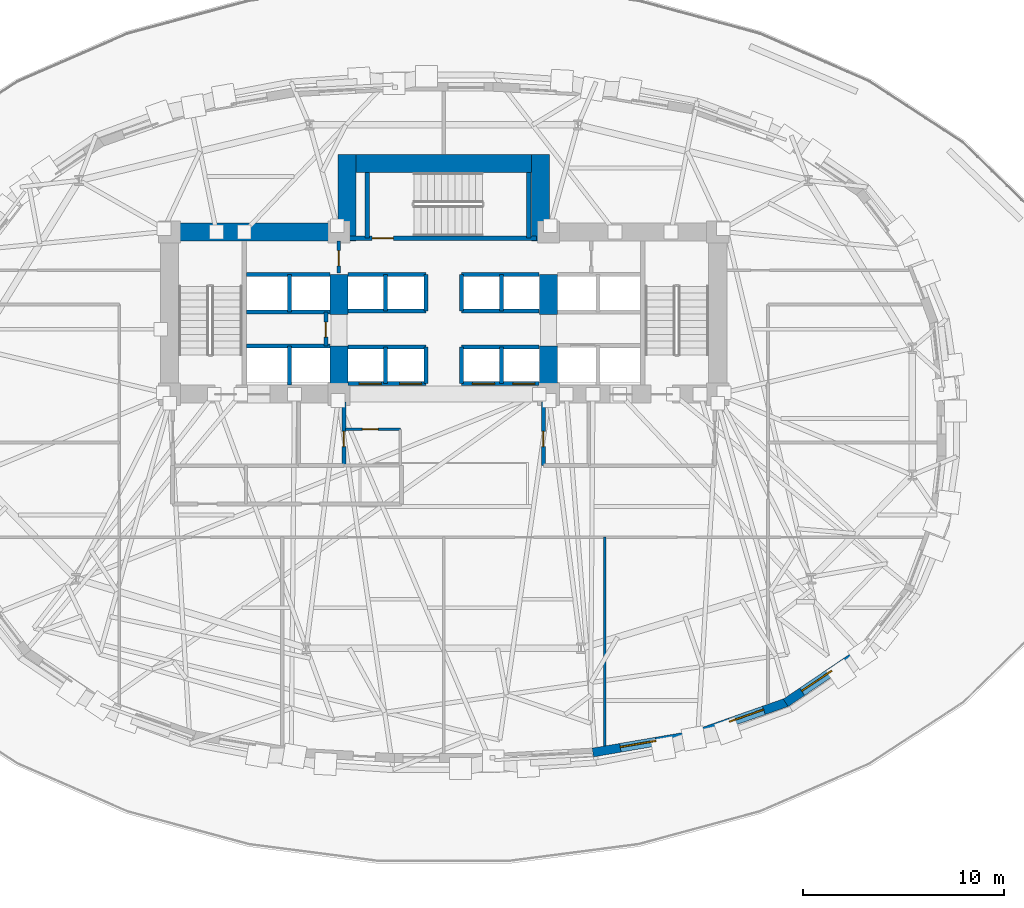
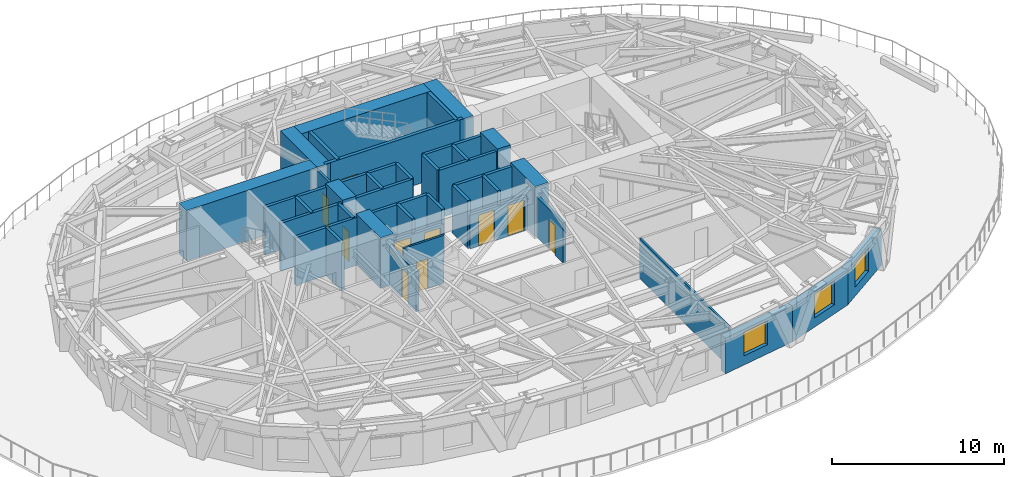
# One storey, part 7 of 14: 41 walls, 10 doors, 3 windows, 13 openings.
"""IFC4 building model written with IfcOpenShell, lengths in metres."""

import ifcopenshell
import ifcopenshell.guid

model = None  # the IFC model being written
_history = None  # IfcOwnerHistory: only IFC2X3 demands one
_inside = {}  # id of a spatial element -> (the spatial element, [elements in it])
_under = {}  # id of a project, library or spatial element -> (it, [spatial elements below it])
_declared = {}  # id of a project -> (the project, [libraries it declares])
_typed = {}  # id of a type object -> (the type object, [elements of that type])
_made_of = {}  # id of a material, layer set ... -> (it, [elements and type objects made of it])


def new_model(schema):
    """Start an empty IFC model of exactly this schema.

    Asked for "IFC4X3", IfcOpenShell would pick the latest addendum, in which some entities
    have other attributes; the version numbers below select the first issue.
    IFC2X3 requires an IfcOwnerHistory on every rooted entity: one is made here for all.
    """
    global model, _history
    if schema == "IFC4X3":
        model = ifcopenshell.file(schema_version=(4, 3, 0, 0))
    else:
        model = ifcopenshell.file(schema=schema)
    _inside.clear()
    _under.clear()
    _declared.clear()
    _typed.clear()
    _made_of.clear()
    _history = None
    if model.schema == "IFC2X3":
        org = make("IfcOrganization", Name="unknown")
        user = make(
            "IfcPersonAndOrganization",
            ThePerson=make("IfcPerson", FamilyName="unknown"),
            TheOrganization=org,
        )
        app = make(
            "IfcApplication",
            ApplicationDeveloper=org,
            Version="unknown",
            ApplicationFullName="unknown",
            ApplicationIdentifier="unknown",
        )
        _history = make(
            "IfcOwnerHistory",
            OwningUser=user,
            OwningApplication=app,
            ChangeAction="ADDED",
            CreationDate=0,
        )
    return model


def make(cls, **values):
    """One entity of the class cls with the attributes given. An attribute that is None is left unset."""
    return model.create_entity(
        cls, **{name: value for name, value in values.items() if value is not None}
    )


def rooted(cls, **values):
    """An entity with a GlobalId (a new one), such as an element, a storey or a relation."""
    return make(cls, GlobalId=ifcopenshell.guid.new(), OwnerHistory=_history, **values)


def si_unit(unit_type, name, prefix=None):
    """IfcSIUnit, for example si_unit("LENGTHUNIT", "METRE", prefix="MILLI")."""
    return make("IfcSIUnit", UnitType=unit_type, Prefix=prefix, Name=name)


def assignment(units):
    """IfcUnitAssignment: the units of a project."""
    return None if units is None else make("IfcUnitAssignment", Units=units)


def point(xyz):
    """IfcCartesianPoint."""
    return None if xyz is None else make("IfcCartesianPoint", Coordinates=xyz)


def direction(xyz):
    """IfcDirection."""
    return None if xyz is None else make("IfcDirection", DirectionRatios=xyz)


def frame(location, z_axis=None, x_axis=None):
    """IfcAxis2Placement3D, a coordinate frame: its origin and axes. An axis left out is left unset."""
    return make(
        "IfcAxis2Placement3D",
        Location=point(location),
        Axis=direction(z_axis),
        RefDirection=direction(x_axis),
    )


def frame_2d(location, x_axis=None):
    """IfcAxis2Placement2D, a coordinate frame in the plane: its origin and x axis."""
    return make(
        "IfcAxis2Placement2D", Location=point(location), RefDirection=direction(x_axis)
    )


def origin():
    """The frame at (0, 0, 0) with its axes left unset."""
    return frame((0.0, 0.0, 0.0))


def place(relative_to, where):
    """IfcLocalPlacement: puts the frame where relative to a parent placement (None: the world)."""
    return make(
        "IfcLocalPlacement", PlacementRelTo=relative_to, RelativePlacement=where
    )


def context(
    kind, dimensions, precision=None, world=None, true_north=None, identifier=None
):
    """IfcGeometricRepresentationContext, for example the 3D "Model" context."""
    return make(
        "IfcGeometricRepresentationContext",
        ContextIdentifier=identifier,
        ContextType=kind,
        CoordinateSpaceDimension=dimensions,
        Precision=precision,
        WorldCoordinateSystem=world,
        TrueNorth=true_north,
    )


def subcontext(parent, identifier, kind, view, scale=None):
    """IfcGeometricRepresentationSubContext, for example "Body" below "Model"."""
    return make(
        "IfcGeometricRepresentationSubContext",
        ContextIdentifier=identifier,
        ContextType=kind,
        ParentContext=parent,
        TargetScale=scale,
        TargetView=view,
    )


def project(units=None, contexts=None):
    """IfcProject with its units and contexts."""
    return rooted(
        "IfcProject",
        Name="project",
        RepresentationContexts=contexts,
        UnitsInContext=assignment(units),
    )


def spatial(cls, under=None, at=None, **own):
    """A site, building, storey or space (cls), placed at a placement, below another one or the project."""
    s = rooted(cls, ObjectPlacement=at, **own)
    if under is not None:
        _under.setdefault(under.id(), (under, []))[1].append(s)
    return s


def profile(cls, at=None, kind="AREA", **sizes):
    """A parametric profile (cls). Its sizes go by their IFC names, for example OverallWidth=200.0."""
    return make(cls, ProfileType=kind, Position=at, **sizes)


def rectangle(**sizes):
    """IfcRectangleProfileDef."""
    return profile("IfcRectangleProfileDef", **sizes)


def extrude(swept, where, along, depth):
    """IfcExtrudedAreaSolid: the profile swept, set in the frame where, extruded along a direction by depth."""
    return make(
        "IfcExtrudedAreaSolid",
        SweptArea=swept,
        Position=where,
        ExtrudedDirection=direction(along),
        Depth=depth,
    )


def shape(context_of_items, identifier, shape_type, items):
    """IfcShapeRepresentation: the items that make up one representation, for example the "Body"."""
    return make(
        "IfcShapeRepresentation",
        ContextOfItems=context_of_items,
        RepresentationIdentifier=identifier,
        RepresentationType=shape_type,
        Items=items,
    )


def material(Name=None, Category=None):
    """IfcMaterial."""
    return make("IfcMaterial", Name=Name, Category=Category)


def layer(
    of_material, thickness, ventilated=None, Name=None, Category=None, Priority=None
):
    """IfcMaterialLayer: one layer of a wall or slab, of a material (None: an air gap)."""
    return make(
        "IfcMaterialLayer",
        Material=of_material,
        LayerThickness=thickness,
        IsVentilated=ventilated,
        Name=Name,
        Category=Category,
        Priority=Priority,
    )


def layer_set(layers, Name=None):
    """IfcMaterialLayerSet."""
    return make("IfcMaterialLayerSet", MaterialLayers=layers, LayerSetName=Name)


def made_of(thing, what):
    """Note that an element or type object is made of a material, layer set ...; save() writes the relation."""
    if what is not None:
        _made_of.setdefault(what.id(), (what, []))[1].append(thing)
    return thing


def type_object(cls, material=None, **own):
    """A type object (cls), such as IfcWallType, which elements share."""
    return made_of(rooted(cls, **own), material)


def element(
    cls,
    number,
    at=None,
    inside=None,
    cuts=None,
    type_object=None,
    material=None,
    context=None,
    identifier="Body",
    shape_type=None,
    held_by="IfcProductDefinitionShape",
    body=None,
    shapes=None,
    **own,
):
    """One element of the class cls, such as IfcWall. Its Tag is "e" and its number.

    at: its placement. inside: the storey or other place that contains it. cuts: it is an
    opening in that element (IfcRelVoidsElement). A single representation is given by context,
    identifier, shape_type and body (its items); several are given by shapes. held_by: the class
    of the entity that holds the representations. save() writes the other relations.
    """
    e = rooted(cls, Tag="e%d" % number, ObjectPlacement=at, **own)
    if body is not None:
        shapes = [shape(context, identifier, shape_type, body)]
    if shapes is not None:
        e.Representation = make(held_by, Representations=shapes)
    if inside is not None:
        _inside.setdefault(inside.id(), (inside, []))[1].append(e)
    if cuts is not None:
        rooted(
            "IfcRelVoidsElement", RelatingBuildingElement=cuts, RelatedOpeningElement=e
        )
    if type_object is not None:
        _typed.setdefault(type_object.id(), (type_object, []))[1].append(e)
    return made_of(e, material)


def fill(opening, filler):
    """IfcRelFillsElement: the door or window that sits in an opening."""
    return rooted(
        "IfcRelFillsElement",
        RelatingOpeningElement=opening,
        RelatedBuildingElement=filler,
    )


def aggregate(whole, parts):
    """IfcRelAggregates: a whole, such as a stair, and the parts it consists of."""
    return rooted("IfcRelAggregates", RelatingObject=whole, RelatedObjects=parts)


def save(model, path):
    """Write the relations noted so far, then the file.

    IfcRelAggregates (storeys below a building ...), IfcRelContainedInSpatialStructure (elements
    in a storey), IfcRelDefinesByType, IfcRelAssociatesMaterial and IfcRelDeclares: one each for
    every whole, place, type object, material and project.
    """
    for whole, parts in _under.values():
        aggregate(whole, parts)
    for where, things in _inside.values():
        rooted(
            "IfcRelContainedInSpatialStructure",
            RelatedElements=things,
            RelatingStructure=where,
        )
    for kind, things in _typed.values():
        rooted("IfcRelDefinesByType", RelatedObjects=things, RelatingType=kind)
    for what, things in _made_of.values():
        rooted("IfcRelAssociatesMaterial", RelatedObjects=things, RelatingMaterial=what)
    for by, libraries in _declared.values():
        rooted("IfcRelDeclares", RelatingContext=by, RelatedDefinitions=libraries)
    model.write(path)


model = new_model("IFC4")

# Units and contexts
model_context = context("Model", 3, precision=1e-05, world=origin(), true_north=direction((0.0, 1.0)))
body_context = subcontext(model_context, "Body", "Model", "MODEL_VIEW")
ifc_project = project(units=[si_unit("LENGTHUNIT", "METRE"), si_unit("AREAUNIT", "SQUARE_METRE"), si_unit("VOLUMEUNIT", "CUBIC_METRE"), si_unit("PLANEANGLEUNIT", "RADIAN"), si_unit("MASSUNIT", "GRAM", prefix="KILO")], contexts=[model_context])

# Site, building, storey
site_placement = place(None, origin())
site = spatial("IfcSite", under=ifc_project, at=site_placement, CompositionType="ELEMENT")
building_placement = place(site_placement, origin())
building = spatial("IfcBuilding", under=site, at=building_placement, Name="Keldmark Tower", CompositionType="ELEMENT")
storey_placement = place(building_placement, frame((0.0, 0.0, 27.0)))
storey = spatial("IfcBuildingStorey", under=building, at=storey_placement, Name="L06", CompositionType="ELEMENT", Elevation=27.0)

# Wall, opening, door
ifc_material_1 = material(Name="Acoustic Gypsum Board Interior Partition", Category="gypsum")
ifc_layer_1 = layer(ifc_material_1, 0.1298828125)
ifc_layer_set_1 = layer_set([ifc_layer_1], Name="Acoustic Gypsum Board Interior Partition")
wall_type_1 = type_object("IfcWallType", Name="Interior Partition 130 mm", PredefinedType="PARTITIONING", material=ifc_layer_set_1)
wall_1_placement = place(storey_placement, frame((-4.8798828125, -0.35009765625, 0.0), z_axis=(0.0, 0.0, 1.0), x_axis=(1.0, 0.0, 0.0)))
wall_1 = element("IfcWall", 1, at=wall_1_placement, inside=storey, type_object=wall_type_1, Name="L06 Interior Partition 130 mm CSC-W-N", PredefinedType="PARTITIONING", context=body_context, shape_type="SweptSolid", body=[
    extrude(rectangle(XDim=2.72998046875, YDim=0.1298828125, at=frame_2d((1.364990234375, 0.0))), origin(), (0.0, 0.0, 1.0), 3.39990234375),
])
opening_1_placement = place(wall_1_placement, frame((0.85009765625, 0.0, 0.0)))
opening_1 = element("IfcOpeningElement", 2, at=opening_1_placement, cuts=wall_1, Name="Opening D-CL078", PredefinedType="OPENING", context=body_context, shape_type="SweptSolid", body=[
    extrude(rectangle(XDim=0.780029296875, YDim=2.10009765625, at=frame_2d((0.39013671875, 1.050048828125))), frame((0.0, 0.074951171875, 0.0), z_axis=(0.0, -1.0, 0.0), x_axis=(1.0, 0.0, 0.0)), (0.0, 0.0, 1.0), 0.14990234375),
])
ifc_material_2 = material(Name="Flush Utility Closet Timber Door", Category="wood")
door_type_1 = type_object("IfcDoorType", Name="Closet Door 780x2100", OperationType="NOTDEFINED", PredefinedType="DOOR", material=ifc_material_2)
door_1_placement = place(opening_1_placement, origin())
door_1 = element("IfcDoor", 3, at=door_1_placement, inside=storey, type_object=door_type_1, Name="L06 Closet Door 780x2100 D-CSCW1-L06", OperationType="SINGLE_SWING_LEFT", OverallHeight=2.10009765625, OverallWidth=0.780029296875, PredefinedType="DOOR", context=body_context, shape_type="SweptSolid", body=[
    extrude(rectangle(XDim=0.780029296875, YDim=2.10009765625, at=frame_2d((0.39013671875, 1.050048828125))), frame((0.0, 0.02490234375, 0.0), z_axis=(0.0, -1.0, 0.0), x_axis=(1.0, 0.0, 0.0)), (0.0, 0.0, 1.0), 0.050048828125),
])
fill(opening_1, door_1)

# Walls
wall_2_placement = place(storey_placement, frame((8.0, -16.051513671875, 0.0), z_axis=(0.0, 0.0, 1.0), x_axis=(0.0, 1.0, 0.0)))
element("IfcWall", 4, at=wall_2_placement, inside=storey, type_object=wall_type_1, Name="L06 Interior Partition 130 mm S-DIV-3", PredefinedType="PARTITIONING", context=body_context, shape_type="SweptSolid", body=[
    extrude(rectangle(XDim=10.3515625, YDim=0.1298828125, at=frame_2d((5.17578125, 0.0))), origin(), (0.0, 0.0, 1.0), 2.85302734375),
])
ifc_material_3 = material(Name="Concrete C70/85", Category="concrete")
ifc_layer_2 = layer(ifc_material_3, 0.89990234375)
ifc_layer_set_2 = layer_set([ifc_layer_2], Name="Concrete C70/85")
wall_type_2 = type_object("IfcWallType", Name="Lower Core Shear Wall 900 mm", PredefinedType="SHEAR", material=ifc_layer_set_2)
wall_3_placement = place(storey_placement, frame((-14.050048828125, 9.449951171875, 0.0), z_axis=(0.0, 0.0, 1.0), x_axis=(1.0, 0.0, 0.0)))
element("IfcWall", 5, at=wall_3_placement, inside=storey, type_object=wall_type_2, Name="L06 West Core North Shear Wall", PredefinedType="SHEAR", context=body_context, shape_type="SweptSolid", body=[
    extrude(rectangle(XDim=9.699951171875, YDim=0.89990234375, at=frame_2d((4.85009765625, 0.0))), origin(), (0.0, 0.0, 1.0), 3.60009765625),
])
wall_4_placement = place(storey_placement, frame((-5.199951171875, 0.949951171875, 0.0), z_axis=(0.0, 0.0, 1.0), x_axis=(0.0, 1.0, 0.0)))
element("IfcWall", 6, at=wall_4_placement, inside=storey, type_object=wall_type_2, Name="L06 West Core Inner Shear Pier South", PredefinedType="SHEAR", context=body_context, shape_type="SweptSolid", body=[
    extrude(rectangle(XDim=2.85009765625, YDim=0.89990234375, at=frame_2d((1.425048828125, 0.0))), origin(), (0.0, 0.0, 1.0), 3.60009765625),
])
wall_5_placement = place(storey_placement, frame((-5.199951171875, 5.35009765625, 0.0), z_axis=(0.0, 0.0, 1.0), x_axis=(0.0, 1.0, 0.0)))
element("IfcWall", 7, at=wall_5_placement, inside=storey, type_object=wall_type_2, Name="L06 West Core Inner Shear Pier North", PredefinedType="SHEAR", context=body_context, shape_type="SweptSolid", body=[
    extrude(rectangle(XDim=2.0, YDim=0.89990234375, at=frame_2d((1.0, 0.0))), origin(), (0.0, 0.0, 1.0), 3.60009765625),
])
wall_6_placement = place(storey_placement, frame((5.199951171875, 0.949951171875, 0.0), z_axis=(0.0, 0.0, 1.0), x_axis=(0.0, 1.0, 0.0)))
element("IfcWall", 8, at=wall_6_placement, inside=storey, type_object=wall_type_2, Name="L06 East Core Inner Shear Pier South", PredefinedType="SHEAR", context=body_context, shape_type="SweptSolid", body=[
    extrude(rectangle(XDim=2.85009765625, YDim=0.89990234375, at=frame_2d((1.425048828125, 0.0))), origin(), (0.0, 0.0, 1.0), 3.60009765625),
])
wall_7_placement = place(storey_placement, frame((5.199951171875, 5.35009765625, 0.0), z_axis=(0.0, 0.0, 1.0), x_axis=(0.0, 1.0, 0.0)))
element("IfcWall", 9, at=wall_7_placement, inside=storey, type_object=wall_type_2, Name="L06 East Core Inner Shear Pier North", PredefinedType="SHEAR", context=body_context, shape_type="SweptSolid", body=[
    extrude(rectangle(XDim=2.0, YDim=0.89990234375, at=frame_2d((1.0, 0.0))), origin(), (0.0, 0.0, 1.0), 3.60009765625),
])
wall_8_placement = place(storey_placement, frame((-5.25, 12.85009765625, 0.0), z_axis=(0.0, 0.0, 1.0), x_axis=(1.0, 0.0, 0.0)))
element("IfcWall", 10, at=wall_8_placement, inside=storey, type_object=wall_type_2, Name="L06 North Core Shear Wall", PredefinedType="SHEAR", context=body_context, shape_type="SweptSolid", body=[
    extrude(rectangle(XDim=10.5, YDim=0.89990234375, at=frame_2d((5.25, 0.0))), origin(), (0.0, 0.0, 1.0), 3.60009765625),
])
for number, where, z_axis, x_axis, name in (
    (11, (-4.800048828125, 9.0, 0.0), (0.0, 0.0, 1.0), (0.0, 1.0, 0.0), "L06 North Core West Shear Wall"),
    (12, (4.800048828125, 9.0, 0.0), (0.0, 0.0, 1.0), (0.0, 1.0, 0.0), "L06 North Core East Shear Wall"),
):
    element("IfcWall", number, at=place(storey_placement, frame(where, z_axis=z_axis, x_axis=x_axis)), inside=storey, type_object=wall_type_2, Name=name, PredefinedType="SHEAR", context=body_context, shape_type="SweptSolid", body=[
        extrude(rectangle(XDim=4.300048828125, YDim=0.89990234375, at=frame_2d((2.14990234375, 0.0))), origin(), (0.0, 0.0, 1.0), 3.60009765625),
    ])

# Wall, opening, door
ifc_material_4 = material(Name="Type X Fire-Rated Gypsum Partition Assembly", Category="gypsum")
ifc_layer_3 = layer(ifc_material_4, 0.1650390625)
ifc_layer_set_3 = layer_set([ifc_layer_3], Name="Type X Fire-Rated Gypsum Partition Assembly")
wall_type_3 = type_object("IfcWallType", Name="Rated Partition 165 mm", PredefinedType="PARTITIONING", material=ifc_layer_set_3)
wall_9_placement = place(storey_placement, frame((-5.199951171875, 7.419921875, 0.0), z_axis=(0.0, 0.0, 1.0), x_axis=(0.0, 1.0, 0.0)))
wall_9 = element("IfcWall", 13, at=wall_9_placement, inside=storey, type_object=wall_type_3, Name="L06 Rated Partition 165 mm CS-NW-E", PredefinedType="PARTITIONING", context=body_context, shape_type="SweptSolid", body=[
    extrude(rectangle(XDim=1.580078125, YDim=0.1650390625, at=frame_2d((0.7900390625, 0.0))), origin(), (0.0, 0.0, 1.0), 3.39990234375),
])
opening_2_placement = place(wall_9_placement, frame((0.35009765625, 0.0, 0.0)))
opening_2 = element("IfcOpeningElement", 14, at=opening_2_placement, cuts=wall_9, Name="Opening D-RS075", PredefinedType="OPENING", context=body_context, shape_type="SweptSolid", body=[
    extrude(rectangle(XDim=0.75, YDim=2.10009765625, at=frame_2d((0.375, 1.050048828125))), frame((0.0, 0.092529296875, 0.0), z_axis=(0.0, -1.0, 0.0), x_axis=(1.0, 0.0, 0.0)), (0.0, 0.0, 1.0), 0.18505859375),
])
ifc_material_5 = material(Name="Galvanized Fire-Rated Access Leaf", Category="metal")
door_type_2 = type_object("IfcDoorType", Name="Riser Access Door 750x2100", OperationType="NOTDEFINED", PredefinedType="DOOR", material=ifc_material_5)
door_2_placement = place(opening_2_placement, origin())
door_2 = element("IfcDoor", 15, at=door_2_placement, inside=storey, type_object=door_type_2, Name="L06 Riser Access Door 750x2100 D-CSNW1-L06", OperationType="SINGLE_SWING_LEFT", OverallHeight=2.10009765625, OverallWidth=0.75, PredefinedType="DOOR", context=body_context, shape_type="SweptSolid", body=[
    extrude(rectangle(XDim=0.75, YDim=2.10009765625, at=frame_2d((0.375, 1.050048828125))), frame((0.0, 0.02490234375, 0.0), z_axis=(0.0, -1.0, 0.0), x_axis=(1.0, 0.0, 0.0)), (0.0, 0.0, 1.0), 0.050048828125),
])
fill(opening_2, door_2)

ifc_material_6 = material(Name="Fire-Resistant Type X Gypsum Shaftliner Coreboard", Category="gypsum")
ifc_layer_4 = layer(ifc_material_6, 0.199951171875)
ifc_layer_set_4 = layer_set([ifc_layer_4], Name="Fire-Resistant Type X Gypsum Shaftliner Coreboard")
wall_type_4 = type_object("IfcWallType", Name="Shaft Wall 200 mm", PredefinedType="SOLIDWALL", material=ifc_layer_set_4)
wall_10_placement = place(storey_placement, frame((-4.949951171875, -2.14990234375, 0.0), z_axis=(0.0, 0.0, 1.0), x_axis=(0.0, 1.0, 0.0)))
wall_10 = element("IfcWall", 16, at=wall_10_placement, inside=storey, type_object=wall_type_4, Name="L06 Shaft Wall 200 mm RIS-SW-E", PredefinedType="SOLIDWALL", context=body_context, shape_type="SweptSolid", body=[
    extrude(rectangle(XDim=3.14990234375, YDim=0.199951171875, at=frame_2d((1.574951171875, 0.0))), origin(), (0.0, 0.0, 1.0), 2.85302734375),
])
opening_3_placement = place(wall_10_placement, frame((0.949951171875, 0.0, 0.0)))
opening_3 = element("IfcOpeningElement", 17, at=opening_3_placement, cuts=wall_10, Name="Opening D-RS075", PredefinedType="OPENING", context=body_context, shape_type="SweptSolid", body=[
    extrude(rectangle(XDim=0.75, YDim=2.10009765625, at=frame_2d((0.375, 1.050048828125))), frame((0.0, 0.10986328125, 0.0), z_axis=(0.0, -1.0, 0.0), x_axis=(1.0, 0.0, 0.0)), (0.0, 0.0, 1.0), 0.219970703125),
])
door_3_placement = place(opening_3_placement, origin())
door_3 = element("IfcDoor", 18, at=door_3_placement, inside=storey, type_object=door_type_2, Name="L06 Riser Access Door 750x2100 D-RISSW-L06", OperationType="SINGLE_SWING_RIGHT", OverallHeight=2.10009765625, OverallWidth=0.75, PredefinedType="DOOR", context=body_context, shape_type="SweptSolid", body=[
    extrude(rectangle(XDim=0.75, YDim=2.10009765625, at=frame_2d((0.375, 1.050048828125))), frame((0.0, 0.02490234375, 0.0), z_axis=(0.0, -1.0, 0.0), x_axis=(1.0, 0.0, 0.0)), (0.0, 0.0, 1.0), 0.050048828125),
])
fill(opening_3, door_3)

wall_11_placement = place(storey_placement, frame((4.949951171875, -2.14990234375, 0.0), z_axis=(0.0, 0.0, 1.0), x_axis=(0.0, 1.0, 0.0)))
wall_11 = element("IfcWall", 19, at=wall_11_placement, inside=storey, type_object=wall_type_4, Name="L06 Shaft Wall 200 mm RIS-SE-W", PredefinedType="SOLIDWALL", context=body_context, shape_type="SweptSolid", body=[
    extrude(rectangle(XDim=3.14990234375, YDim=0.199951171875, at=frame_2d((1.574951171875, 0.0))), origin(), (0.0, 0.0, 1.0), 2.85302734375),
])
opening_4_placement = place(wall_11_placement, frame((0.949951171875, 0.0, 0.0)))
opening_4 = element("IfcOpeningElement", 20, at=opening_4_placement, cuts=wall_11, Name="Opening D-RS075", PredefinedType="OPENING", context=body_context, shape_type="SweptSolid", body=[
    extrude(rectangle(XDim=0.75, YDim=2.10009765625, at=frame_2d((0.375, 1.050048828125))), frame((0.0, 0.10986328125, 0.0), z_axis=(0.0, -1.0, 0.0), x_axis=(1.0, 0.0, 0.0)), (0.0, 0.0, 1.0), 0.219970703125),
])
door_4_placement = place(opening_4_placement, origin())
door_4 = element("IfcDoor", 21, at=door_4_placement, inside=storey, type_object=door_type_2, Name="L06 Riser Access Door 750x2100 D-RISSE-L06", OperationType="SINGLE_SWING_LEFT", OverallHeight=2.10009765625, OverallWidth=0.75, PredefinedType="DOOR", context=body_context, shape_type="SweptSolid", body=[
    extrude(rectangle(XDim=0.75, YDim=2.10009765625, at=frame_2d((0.375, 1.050048828125))), frame((0.0, 0.02490234375, 0.0), z_axis=(0.0, -1.0, 0.0), x_axis=(1.0, 0.0, 0.0)), (0.0, 0.0, 1.0), 0.050048828125),
])
fill(opening_4, door_4)

# Walls
wall_12_placement = place(storey_placement, frame((-9.780029296875, 3.780029296875, 0.0), z_axis=(0.0, 0.0, 1.0), x_axis=(1.0, 0.0, 0.0)))
element("IfcWall", 22, at=wall_12_placement, inside=storey, type_object=wall_type_4, Name="L06 Shaft Wall 200 mm HW-W-S", PredefinedType="SOLIDWALL", context=body_context, shape_type="SweptSolid", body=[
    extrude(rectangle(XDim=4.130126953125, YDim=0.199951171875, at=frame_2d((2.06494140625, 0.0))), origin(), (0.0, 0.0, 1.0), 3.39990234375),
])
wall_13_placement = place(storey_placement, frame((-7.64990234375, 1.85009765625, 0.0), z_axis=(0.0, 0.0, 1.0), x_axis=(0.0, 1.0, 0.0)))
element("IfcWall", 23, at=wall_13_placement, inside=storey, type_object=wall_type_4, Name="L06 Shaft Wall 200 mm HW-W-M", PredefinedType="SOLIDWALL", context=body_context, shape_type="SweptSolid", body=[
    extrude(rectangle(XDim=1.929931640625, YDim=0.199951171875, at=frame_2d((0.96484375, 0.0))), origin(), (0.0, 0.0, 1.0), 3.39990234375),
])
for number, where, z_axis, x_axis, name in (
    (24, (-9.780029296875, 5.469970703125, 0.0), (0.0, 0.0, 1.0), (1.0, 0.0, 0.0), "L06 Shaft Wall 200 mm HW-W-N"),
    (25, (-9.780029296875, 7.330078125, 0.0), (0.0, 0.0, 1.0), (1.0, 0.0, 0.0), "L06 Shaft Wall 200 mm HW-W-TOP"),
):
    element("IfcWall", number, at=place(storey_placement, frame(where, z_axis=z_axis, x_axis=x_axis)), inside=storey, type_object=wall_type_4, Name=name, PredefinedType="SOLIDWALL", context=body_context, shape_type="SweptSolid", body=[
        extrude(rectangle(XDim=4.130126953125, YDim=0.199951171875, at=frame_2d((2.06494140625, 0.0))), origin(), (0.0, 0.0, 1.0), 3.39990234375),
    ])
wall_14_placement = place(storey_placement, frame((-7.64990234375, 5.469970703125, 0.0), z_axis=(0.0, 0.0, 1.0), x_axis=(0.0, 1.0, 0.0)))
element("IfcWall", 26, at=wall_14_placement, inside=storey, type_object=wall_type_4, Name="L06 Shaft Wall 200 mm HW-W-NM", PredefinedType="SOLIDWALL", context=body_context, shape_type="SweptSolid", body=[
    extrude(rectangle(XDim=1.860107421875, YDim=0.199951171875, at=frame_2d((0.93017578125, 0.0))), origin(), (0.0, 0.0, 1.0), 3.39990234375),
])

# Wall, opening, door
wall_15_placement = place(storey_placement, frame((-5.85009765625, 3.780029296875, 0.0), z_axis=(0.0, 0.0, 1.0), x_axis=(0.0, 1.0, 0.0)))
wall_15 = element("IfcWall", 27, at=wall_15_placement, inside=storey, type_object=wall_type_4, Name="L06 Shaft Wall 200 mm HW-W-CLOSE", PredefinedType="SOLIDWALL", context=body_context, shape_type="SweptSolid", body=[
    extrude(rectangle(XDim=1.68994140625, YDim=0.199951171875, at=frame_2d((0.844970703125, 0.0))), origin(), (0.0, 0.0, 1.0), 3.39990234375),
])
opening_5_placement = place(wall_15_placement, frame((0.449951171875, 0.0, 0.0)))
opening_5 = element("IfcOpeningElement", 28, at=opening_5_placement, cuts=wall_15, Name="Opening D-RS075", PredefinedType="OPENING", context=body_context, shape_type="SweptSolid", body=[
    extrude(rectangle(XDim=0.75, YDim=2.10009765625, at=frame_2d((0.375, 1.050048828125))), frame((0.0, 0.10986328125, 0.0), z_axis=(0.0, -1.0, 0.0), x_axis=(1.0, 0.0, 0.0)), (0.0, 0.0, 1.0), 0.219970703125),
])
door_5_placement = place(opening_5_placement, origin())
door_5 = element("IfcDoor", 29, at=door_5_placement, inside=storey, type_object=door_type_2, Name="L06 Riser Access Door 750x2100 D-RISHW-L06", OperationType="SINGLE_SWING_RIGHT", OverallHeight=2.10009765625, OverallWidth=0.75, PredefinedType="DOOR", context=body_context, shape_type="SweptSolid", body=[
    extrude(rectangle(XDim=0.75, YDim=2.10009765625, at=frame_2d((0.375, 1.050048828125))), frame((0.0, 0.02490234375, 0.0), z_axis=(0.0, -1.0, 0.0), x_axis=(1.0, 0.0, 0.0)), (0.0, 0.0, 1.0), 0.050048828125),
])
fill(opening_5, door_5)

# Wall, openings, doors
wall_16_placement = place(storey_placement, frame((-4.739990234375, 1.919921875, 0.0), z_axis=(0.0, 0.0, 1.0), x_axis=(1.0, 0.0, 0.0)))
wall_16 = element("IfcWall", 30, at=wall_16_placement, inside=storey, type_object=wall_type_4, Name="L06 Shaft Wall 200 mm LOW-S-W", PredefinedType="SOLIDWALL", context=body_context, shape_type="SweptSolid", body=[
    extrude(rectangle(XDim=3.860107421875, YDim=0.199951171875, at=frame_2d((1.93017578125, 0.0))), origin(), (0.0, 0.0, 1.0), 2.389892578125),
])
opening_6_placement = place(wall_16_placement, frame((0.550048828125, 0.0, 0.0)))
opening_6 = element("IfcOpeningElement", 31, at=opening_6_placement, cuts=wall_16, Name="Opening LD-110", PredefinedType="OPENING", context=body_context, shape_type="SweptSolid", body=[
    extrude(rectangle(XDim=1.10009765625, YDim=2.199951171875, at=frame_2d((0.550048828125, 1.10009765625))), frame((0.0, 0.10986328125, 0.0), z_axis=(0.0, -1.0, 0.0), x_axis=(1.0, 0.0, 0.0)), (0.0, 0.0, 1.0), 0.219970703125),
])
opening_7_placement = place(wall_16_placement, frame((2.550048828125, 0.0, 0.0)))
opening_7 = element("IfcOpeningElement", 32, at=opening_7_placement, cuts=wall_16, Name="Opening LD-110", PredefinedType="OPENING", context=body_context, shape_type="SweptSolid", body=[
    extrude(rectangle(XDim=1.10009765625, YDim=2.199951171875, at=frame_2d((0.550048828125, 1.10009765625))), frame((0.0, 0.10986328125, 0.0), z_axis=(0.0, -1.0, 0.0), x_axis=(1.0, 0.0, 0.0)), (0.0, 0.0, 1.0), 0.219970703125),
])
ifc_material_7 = material(Name="Brushed Bronze Hoistway Sliding Leaf", Category="metal")
door_type_3 = type_object("IfcDoorType", Name="Lift Landing Sliding Door 1100x2200", OperationType="SLIDING_TO_LEFT", PredefinedType="DOOR", material=ifc_material_7)
door_6_placement = place(opening_6_placement, origin())
door_6 = element("IfcDoor", 33, at=door_6_placement, inside=storey, type_object=door_type_3, Name="L06 Lift Landing Sliding Door 1100x2200 LD-EL-L1-L06", OperationType="SLIDING_TO_LEFT", OverallHeight=2.199951171875, OverallWidth=1.10009765625, PredefinedType="DOOR", context=body_context, shape_type="SweptSolid", body=[
    extrude(rectangle(XDim=1.10009765625, YDim=2.199951171875, at=frame_2d((0.550048828125, 1.10009765625))), frame((0.0, 0.02490234375, 0.0), z_axis=(0.0, -1.0, 0.0), x_axis=(1.0, 0.0, 0.0)), (0.0, 0.0, 1.0), 0.050048828125),
])
fill(opening_6, door_6)
door_7_placement = place(opening_7_placement, origin())
door_7 = element("IfcDoor", 34, at=door_7_placement, inside=storey, type_object=door_type_3, Name="L06 Lift Landing Sliding Door 1100x2200 LD-EL-L2-L06", OperationType="SLIDING_TO_LEFT", OverallHeight=2.199951171875, OverallWidth=1.10009765625, PredefinedType="DOOR", context=body_context, shape_type="SweptSolid", body=[
    extrude(rectangle(XDim=1.10009765625, YDim=2.199951171875, at=frame_2d((0.550048828125, 1.10009765625))), frame((0.0, 0.02490234375, 0.0), z_axis=(0.0, -1.0, 0.0), x_axis=(1.0, 0.0, 0.0)), (0.0, 0.0, 1.0), 0.050048828125),
])
fill(opening_7, door_7)

wall_17_placement = place(storey_placement, frame((0.8798828125, 1.919921875, 0.0), z_axis=(0.0, 0.0, 1.0), x_axis=(1.0, 0.0, 0.0)))
wall_17 = element("IfcWall", 35, at=wall_17_placement, inside=storey, type_object=wall_type_4, Name="L06 Shaft Wall 200 mm LOW-S-E", PredefinedType="SOLIDWALL", context=body_context, shape_type="SweptSolid", body=[
    extrude(rectangle(XDim=3.860107421875, YDim=0.199951171875, at=frame_2d((1.93017578125, 0.0))), origin(), (0.0, 0.0, 1.0), 2.389892578125),
])
opening_8_placement = place(wall_17_placement, frame((0.550048828125, 0.0, 0.0)))
opening_8 = element("IfcOpeningElement", 36, at=opening_8_placement, cuts=wall_17, Name="Opening LD-110", PredefinedType="OPENING", context=body_context, shape_type="SweptSolid", body=[
    extrude(rectangle(XDim=1.10009765625, YDim=2.199951171875, at=frame_2d((0.550048828125, 1.10009765625))), frame((0.0, 0.10986328125, 0.0), z_axis=(0.0, -1.0, 0.0), x_axis=(1.0, 0.0, 0.0)), (0.0, 0.0, 1.0), 0.219970703125),
])
opening_9_placement = place(wall_17_placement, frame((2.550048828125, 0.0, 0.0)))
opening_9 = element("IfcOpeningElement", 37, at=opening_9_placement, cuts=wall_17, Name="Opening LD-110", PredefinedType="OPENING", context=body_context, shape_type="SweptSolid", body=[
    extrude(rectangle(XDim=1.10009765625, YDim=2.199951171875, at=frame_2d((0.550048828125, 1.10009765625))), frame((0.0, 0.10986328125, 0.0), z_axis=(0.0, -1.0, 0.0), x_axis=(1.0, 0.0, 0.0)), (0.0, 0.0, 1.0), 0.219970703125),
])
door_8_placement = place(opening_8_placement, origin())
door_8 = element("IfcDoor", 38, at=door_8_placement, inside=storey, type_object=door_type_3, Name="L06 Lift Landing Sliding Door 1100x2200 LD-EL-L3-L06", OperationType="SLIDING_TO_LEFT", OverallHeight=2.199951171875, OverallWidth=1.10009765625, PredefinedType="DOOR", context=body_context, shape_type="SweptSolid", body=[
    extrude(rectangle(XDim=1.10009765625, YDim=2.199951171875, at=frame_2d((0.550048828125, 1.10009765625))), frame((0.0, 0.02490234375, 0.0), z_axis=(0.0, -1.0, 0.0), x_axis=(1.0, 0.0, 0.0)), (0.0, 0.0, 1.0), 0.050048828125),
])
fill(opening_8, door_8)
door_9_placement = place(opening_9_placement, origin())
door_9 = element("IfcDoor", 39, at=door_9_placement, inside=storey, type_object=door_type_3, Name="L06 Lift Landing Sliding Door 1100x2200 LD-EL-L4-L06", OperationType="SLIDING_TO_LEFT", OverallHeight=2.199951171875, OverallWidth=1.10009765625, PredefinedType="DOOR", context=body_context, shape_type="SweptSolid", body=[
    extrude(rectangle(XDim=1.10009765625, YDim=2.199951171875, at=frame_2d((0.550048828125, 1.10009765625))), frame((0.0, 0.02490234375, 0.0), z_axis=(0.0, -1.0, 0.0), x_axis=(1.0, 0.0, 0.0)), (0.0, 0.0, 1.0), 0.050048828125),
])
fill(opening_9, door_9)

# Walls
for number, where, z_axis, x_axis, name in (
    (40, (-4.739990234375, 3.739990234375, 0.0), (0.0, 0.0, 1.0), (1.0, 0.0, 0.0), "L06 Shaft Wall 200 mm LOW-N-W"),
    (41, (0.8798828125, 3.739990234375, 0.0), (0.0, 0.0, 1.0), (1.0, 0.0, 0.0), "L06 Shaft Wall 200 mm LOW-N-E"),
):
    element("IfcWall", number, at=place(storey_placement, frame(where, z_axis=z_axis, x_axis=x_axis)), inside=storey, type_object=wall_type_4, Name=name, PredefinedType="SOLIDWALL", context=body_context, shape_type="SweptSolid", body=[
        extrude(rectangle(XDim=3.860107421875, YDim=0.199951171875, at=frame_2d((1.93017578125, 0.0))), origin(), (0.0, 0.0, 1.0), 3.39990234375),
    ])
for number, where, z_axis, x_axis, name in (
    (42, (-2.8798828125, 1.919921875, 0.0), (0.0, 0.0, 1.0), (0.0, 1.0, 0.0), "L06 Shaft Wall 200 mm LOW-M-W"),
    (43, (2.8798828125, 1.919921875, 0.0), (0.0, 0.0, 1.0), (0.0, 1.0, 0.0), "L06 Shaft Wall 200 mm LOW-M-E"),
    (44, (-0.8798828125, 1.919921875, 0.0), (0.0, 0.0, 1.0), (0.0, 1.0, 0.0), "L06 Shaft Wall 200 mm LOW-C-W"),
    (45, (0.8798828125, 1.919921875, 0.0), (0.0, 0.0, 1.0), (0.0, 1.0, 0.0), "L06 Shaft Wall 200 mm LOW-C-E"),
):
    element("IfcWall", number, at=place(storey_placement, frame(where, z_axis=z_axis, x_axis=x_axis)), inside=storey, type_object=wall_type_4, Name=name, PredefinedType="SOLIDWALL", context=body_context, shape_type="SweptSolid", body=[
        extrude(rectangle(XDim=1.820068359375, YDim=0.199951171875, at=frame_2d((0.91015625, 0.0))), origin(), (0.0, 0.0, 1.0), 3.39990234375),
    ])
for number, where, z_axis, x_axis, name in (
    (46, (-4.739990234375, 5.52001953125, 0.0), (0.0, 0.0, 1.0), (1.0, 0.0, 0.0), "L06 Shaft Wall 200 mm MID-S-W"),
    (47, (0.8798828125, 5.52001953125, 0.0), (0.0, 0.0, 1.0), (1.0, 0.0, 0.0), "L06 Shaft Wall 200 mm MID-S-E"),
    (48, (-4.739990234375, 7.330078125, 0.0), (0.0, 0.0, 1.0), (1.0, 0.0, 0.0), "L06 Shaft Wall 200 mm MID-N-W"),
    (49, (0.8798828125, 7.330078125, 0.0), (0.0, 0.0, 1.0), (1.0, 0.0, 0.0), "L06 Shaft Wall 200 mm MID-N-E"),
):
    element("IfcWall", number, at=place(storey_placement, frame(where, z_axis=z_axis, x_axis=x_axis)), inside=storey, type_object=wall_type_4, Name=name, PredefinedType="SOLIDWALL", context=body_context, shape_type="SweptSolid", body=[
        extrude(rectangle(XDim=3.860107421875, YDim=0.199951171875, at=frame_2d((1.93017578125, 0.0))), origin(), (0.0, 0.0, 1.0), 3.39990234375),
    ])
for number, where, z_axis, x_axis, name in (
    (50, (-2.8798828125, 5.52001953125, 0.0), (0.0, 0.0, 1.0), (0.0, 1.0, 0.0), "L06 Shaft Wall 200 mm MID-M-W"),
    (51, (2.8798828125, 5.52001953125, 0.0), (0.0, 0.0, 1.0), (0.0, 1.0, 0.0), "L06 Shaft Wall 200 mm MID-M-E"),
    (52, (-0.8798828125, 5.52001953125, 0.0), (0.0, 0.0, 1.0), (0.0, 1.0, 0.0), "L06 Shaft Wall 200 mm MID-C-W"),
    (53, (0.8798828125, 5.52001953125, 0.0), (0.0, 0.0, 1.0), (0.0, 1.0, 0.0), "L06 Shaft Wall 200 mm MID-C-E"),
):
    element("IfcWall", number, at=place(storey_placement, frame(where, z_axis=z_axis, x_axis=x_axis)), inside=storey, type_object=wall_type_4, Name=name, PredefinedType="SOLIDWALL", context=body_context, shape_type="SweptSolid", body=[
        extrude(rectangle(XDim=1.81005859375, YDim=0.199951171875, at=frame_2d((0.905029296875, 0.0))), origin(), (0.0, 0.0, 1.0), 3.39990234375),
    ])

# Wall, opening, door
ifc_material_8 = material(Name="Concrete C50/60", Category="concrete")
ifc_layer_5 = layer(ifc_material_8, 0.219970703125)
ifc_layer_set_5 = layer_set([ifc_layer_5], Name="Concrete C50/60")
wall_type_5 = type_object("IfcWallType", Name="Stair Core Shear Wall 220 mm", PredefinedType="SHEAR", material=ifc_layer_set_5)
wall_18_placement = place(storey_placement, frame((-4.699951171875, 9.139892578125, 0.0), z_axis=(0.0, 0.0, 1.0), x_axis=(1.0, 0.0, 0.0)))
wall_18 = element("IfcWall", 54, at=wall_18_placement, inside=storey, type_object=wall_type_5, Name="L06 Central Stair Core South Shear Wall", PredefinedType="SHEAR", context=body_context, shape_type="SweptSolid", body=[
    extrude(rectangle(XDim=9.300048828125, YDim=0.219970703125, at=frame_2d((4.64990234375, 0.0))), origin(), (0.0, 0.0, 1.0), 3.60009765625),
])
opening_10_placement = place(wall_18_placement, frame((1.14990234375, 0.0, 0.0)))
opening_10 = element("IfcOpeningElement", 55, at=opening_10_placement, cuts=wall_18, Name="Opening D-ST105", PredefinedType="OPENING", context=body_context, shape_type="SweptSolid", body=[
    extrude(rectangle(XDim=1.050048828125, YDim=2.14990234375, at=frame_2d((0.52490234375, 1.074951171875))), frame((0.0, 0.119873046875, 0.0), z_axis=(0.0, -1.0, 0.0), x_axis=(1.0, 0.0, 0.0)), (0.0, 0.0, 1.0), 0.239990234375),
])
ifc_material_9 = material(Name="Hollow Metal Fire-Rated Door Assembly", Category="metal")
door_type_4 = type_object("IfcDoorType", Name="Stair Fire Door 1050x2150", OperationType="NOTDEFINED", PredefinedType="DOOR", material=ifc_material_9)
door_10_placement = place(opening_10_placement, origin())
door_10 = element("IfcDoor", 56, at=door_10_placement, inside=storey, type_object=door_type_4, Name="L06 Stair Fire Door 1050x2150 D-ST3-L06", OperationType="SINGLE_SWING_RIGHT", OverallHeight=2.14990234375, OverallWidth=1.050048828125, PredefinedType="DOOR", context=body_context, shape_type="SweptSolid", body=[
    extrude(rectangle(XDim=1.050048828125, YDim=2.14990234375, at=frame_2d((0.52490234375, 1.074951171875))), frame((0.0, 0.02490234375, 0.0), z_axis=(0.0, -1.0, 0.0), x_axis=(1.0, 0.0, 0.0)), (0.0, 0.0, 1.0), 0.050048828125),
])
fill(opening_10, door_10)

# Walls
for number, where, z_axis, x_axis, name in (
    (57, (-3.784912109375, 9.139892578125, 0.0), (0.0, 0.0, 1.0), (0.0, 1.0, 0.0), "L06 Central Stair Core West Shear Wall"),
    (58, (4.215087890625, 9.139892578125, 0.0), (0.0, 0.0, 1.0), (0.0, 1.0, 0.0), "L06 Central Stair Core East Shear Wall"),
):
    element("IfcWall", number, at=place(storey_placement, frame(where, z_axis=z_axis, x_axis=x_axis)), inside=storey, type_object=wall_type_5, Name=name, PredefinedType="SHEAR", context=body_context, shape_type="SweptSolid", body=[
        extrude(rectangle(XDim=3.260009765625, YDim=0.219970703125, at=frame_2d((1.6298828125, 0.0))), origin(), (0.0, 0.0, 1.0), 3.60009765625),
    ])

# Wall, opening, window
ifc_material_10 = material(Name="Ironspot Manganese Brick and Kasota Buff Limestone Spandrel Assembly", Category="masonry")
ifc_layer_6 = layer(ifc_material_10, 0.43994140625)
ifc_layer_set_6 = layer_set([ifc_layer_6], Name="Ironspot Manganese Brick and Kasota Buff Limestone Spandrel Assembly")
wall_type_6 = type_object("IfcWallType", Name="Tower Brick Pier and Spandrel Wall 440 mm", PredefinedType="STANDARD", material=ifc_layer_set_6)
wall_19_placement = place(storey_placement, frame((12.393310546875, -15.52587890625, 0.0), z_axis=(0.0, 0.0, 1.0), x_axis=(-0.985480149415, -0.169790680278, 0.0)))
wall_19 = element("IfcWall", 59, at=wall_19_placement, inside=storey, type_object=wall_type_6, Name="L06 Exterior Brick and Spandrel Wall 26", PredefinedType="STANDARD", context=body_context, shape_type="SweptSolid", body=[
    extrude(rectangle(XDim=5.064208984375, YDim=0.43994140625, at=frame_2d((2.5322265625, 0.0))), origin(), (0.0, 0.0, 1.0), 2.532958984375),
])
opening_11_placement = place(wall_19_placement, frame((1.87890625, 0.0, 0.64990234375)))
opening_11 = element("IfcOpeningElement", 60, at=opening_11_placement, cuts=wall_19, Name="Opening W-02", PredefinedType="OPENING", context=body_context, shape_type="SweptSolid", body=[
    extrude(rectangle(XDim=1.800048828125, YDim=1.699951171875, at=frame_2d((0.89990234375, 0.85009765625))), frame((0.0, 0.22998046875, 0.0), z_axis=(0.0, -1.0, 0.0), x_axis=(1.0, 0.0, 0.0)), (0.0, 0.0, 1.0), 0.4599609375),
])
ifc_material_11 = material(Name="Thermally Broken Anodized Aluminum and Triple Low-E Argon Glazing", Category="aluminium")
window_type = type_object("IfcWindowType", Name="Office Deep-Set Triple Window 1800x1700", PartitioningType="TRIPLE_PANEL_VERTICAL", PredefinedType="WINDOW", material=ifc_material_11)
window_1_placement = place(opening_11_placement, origin())
window_1 = element("IfcWindow", 61, at=window_1_placement, inside=storey, type_object=window_type, Name="L06 Deep-Set Window 26", OverallHeight=1.699951171875, OverallWidth=1.800048828125, PartitioningType="SINGLE_PANEL", PredefinedType="WINDOW", context=body_context, shape_type="SweptSolid", body=[
    extrude(rectangle(XDim=1.800048828125, YDim=1.699951171875, at=frame_2d((0.89990234375, 0.85009765625))), frame((0.0, -0.010009765625, 0.0), z_axis=(0.0, -1.0, 0.0), x_axis=(1.0, 0.0, 0.0)), (0.0, 0.0, 1.0), 0.06005859375),
])
fill(opening_11, window_1)

wall_20_placement = place(storey_placement, frame((17.0234375, -13.894287109375, 0.0), z_axis=(0.0, 0.0, 1.0), x_axis=(-0.94336246541, -0.331763860082, 0.0)))
wall_20 = element("IfcWall", 62, at=wall_20_placement, inside=storey, type_object=wall_type_6, Name="L06 Exterior Brick and Spandrel Wall 27", PredefinedType="STANDARD", context=body_context, shape_type="SweptSolid", body=[
    extrude(rectangle(XDim=4.94580078125, YDim=0.43994140625, at=frame_2d((2.472900390625, 0.0))), origin(), (0.0, 0.0, 1.0), 2.529052734375),
])
opening_12_placement = place(wall_20_placement, frame((1.198486328125, 0.0, 0.64990234375)))
opening_12 = element("IfcOpeningElement", 63, at=opening_12_placement, cuts=wall_20, Name="Opening W-02", PredefinedType="OPENING", context=body_context, shape_type="SweptSolid", body=[
    extrude(rectangle(XDim=1.800048828125, YDim=1.699951171875, at=frame_2d((0.89990234375, 0.85009765625))), frame((0.0, 0.22998046875, 0.0), z_axis=(0.0, -1.0, 0.0), x_axis=(1.0, 0.0, 0.0)), (0.0, 0.0, 1.0), 0.4599609375),
])
window_2_placement = place(opening_12_placement, origin())
window_2 = element("IfcWindow", 64, at=window_2_placement, inside=storey, type_object=window_type, Name="L06 Deep-Set Window 27", OverallHeight=1.699951171875, OverallWidth=1.800048828125, PartitioningType="SINGLE_PANEL", PredefinedType="WINDOW", context=body_context, shape_type="SweptSolid", body=[
    extrude(rectangle(XDim=1.800048828125, YDim=1.699951171875, at=frame_2d((0.89990234375, 0.85009765625))), frame((0.0, -0.010009765625, 0.0), z_axis=(0.0, -1.0, 0.0), x_axis=(1.0, 0.0, 0.0)), (0.0, 0.0, 1.0), 0.06005859375),
])
fill(opening_12, window_2)

wall_21_placement = place(storey_placement, frame((20.708740234375, -11.390869140625, 0.0), z_axis=(0.0, 0.0, 1.0), x_axis=(-0.828124546302, -0.560544142608, 0.0)))
wall_21 = element("IfcWall", 65, at=wall_21_placement, inside=storey, type_object=wall_type_6, Name="L06 Exterior Brick and Spandrel Wall 28", PredefinedType="STANDARD", context=body_context, shape_type="SweptSolid", body=[
    extrude(rectangle(XDim=4.510986328125, YDim=0.43994140625, at=frame_2d((2.25537109375, 0.0))), origin(), (0.0, 0.0, 1.0), 2.532958984375),
])
opening_13_placement = place(wall_21_placement, frame((1.724365234375, 0.0, 0.64990234375)))
opening_13 = element("IfcOpeningElement", 66, at=opening_13_placement, cuts=wall_21, Name="Opening W-02", PredefinedType="OPENING", context=body_context, shape_type="SweptSolid", body=[
    extrude(rectangle(XDim=1.800048828125, YDim=1.699951171875, at=frame_2d((0.89990234375, 0.85009765625))), frame((0.0, 0.22998046875, 0.0), z_axis=(0.0, -1.0, 0.0), x_axis=(1.0, 0.0, 0.0)), (0.0, 0.0, 1.0), 0.4599609375),
])
window_3_placement = place(opening_13_placement, origin())
window_3 = element("IfcWindow", 67, at=window_3_placement, inside=storey, type_object=window_type, Name="L06 Deep-Set Window 28", OverallHeight=1.699951171875, OverallWidth=1.800048828125, PartitioningType="SINGLE_PANEL", PredefinedType="WINDOW", context=body_context, shape_type="SweptSolid", body=[
    extrude(rectangle(XDim=1.800048828125, YDim=1.699951171875, at=frame_2d((0.89990234375, 0.85009765625))), frame((0.0, -0.010009765625, 0.0), z_axis=(0.0, -1.0, 0.0), x_axis=(1.0, 0.0, 0.0)), (0.0, 0.0, 1.0), 0.06005859375),
])
fill(opening_13, window_3)

save(model, "model.ifc")
